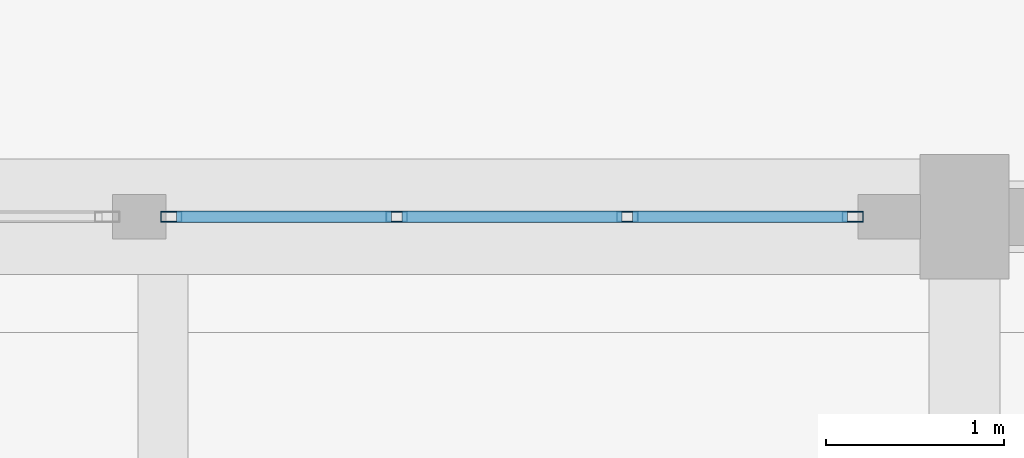
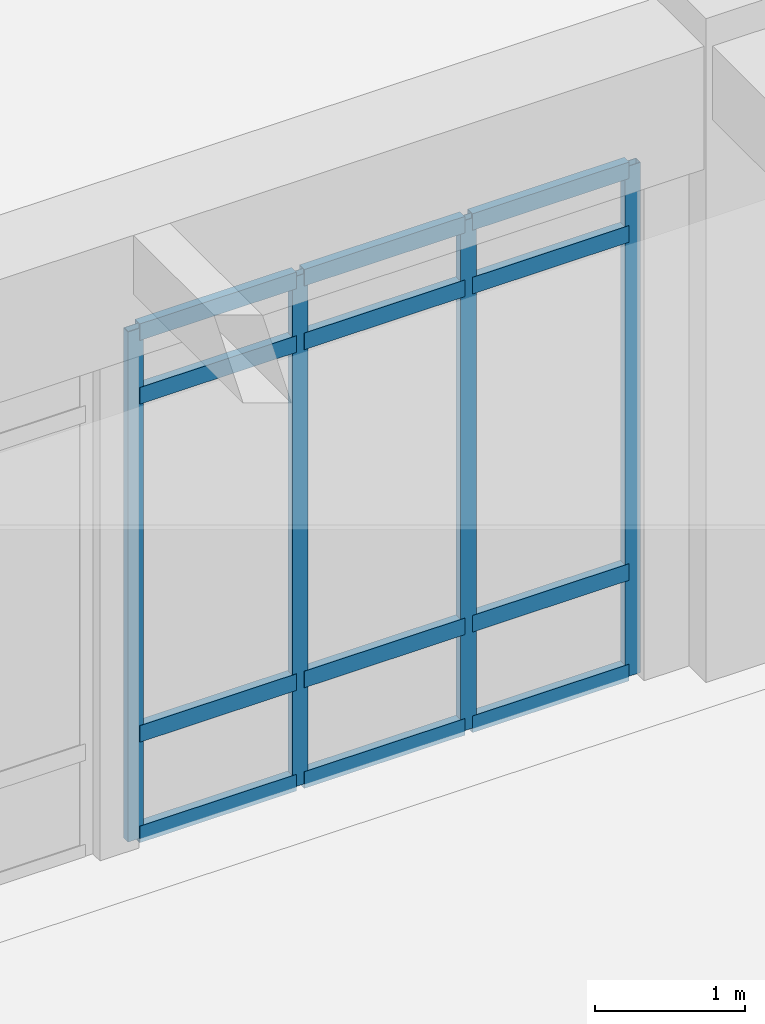
# One storey, part 27 of 138: 16 members, 1 element without a shape of its own.
"""IFC4 building model written with IfcOpenShell, lengths in metres."""

from ifc_helpers import new_model, si_unit, direction, frame, origin, origin_2d, place, context, subcontext, project, spatial, hollow_rectangle, extrude, material, layer, layer_set, material_profile, profile_set, type_object, element, aggregate, save


model = new_model("IFC4")

# Units and contexts
model_context = context("Model", 3, precision=1e-05, world=origin(), true_north=direction((0.0, 1.0)))
body_context = subcontext(model_context, "Body", "Model", "MODEL_VIEW")
ifc_project = project(units=[si_unit("LENGTHUNIT", "METRE"), si_unit("AREAUNIT", "SQUARE_METRE"), si_unit("VOLUMEUNIT", "CUBIC_METRE"), si_unit("PLANEANGLEUNIT", "RADIAN"), si_unit("MASSUNIT", "GRAM", prefix="KILO")], contexts=[model_context])

# Site, building, storey
site_placement = place(None, origin())
site = spatial("IfcSite", under=ifc_project, at=site_placement, CompositionType="ELEMENT")
building_placement = place(site_placement, origin())
building = spatial("IfcBuilding", under=site, at=building_placement, Name="Fikremerkos Civic Library", CompositionType="ELEMENT")
storey_placement = place(building_placement, origin())
storey = spatial("IfcBuildingStorey", under=building, at=storey_placement, Name="L00", CompositionType="ELEMENT", Elevation=0.0)

# Curtain wall, members
ifc_material = material(Name="Anodized aluminium Frame", Category="aluminium")
ifc_layer = layer(ifc_material, 0.159912109375, Name="Anodized aluminium Frame")
ifc_layer_set = layer_set([ifc_layer], Name="Anodized aluminium Frame")
curtain_wall_type = type_object("IfcCurtainWallType", Name="Unitised curtain wall CW-04 3400x3600", PredefinedType="USERDEFINED", material=ifc_layer_set)
curtain_wall_placement = place(storey_placement, origin())
curtain_wall = element("IfcCurtainWall", 1, at=curtain_wall_placement, inside=storey, type_object=curtain_wall_type, Name="Unitised curtain wall CW-04 L00 #22", ObjectType="UNITISED CURTAIN WALL", PredefinedType="USERDEFINED")
ifc_material_profile_1 = material_profile(ifc_material, hollow_rectangle(XDim=0.06005859375, YDim=0.1201171875, WallThickness=0.00390625, at=origin_2d()), Name="ALU 120x60x4")
ifc_profile_set_1 = profile_set([ifc_material_profile_1], Name="Anodized aluminium Frame")
member_type_1 = type_object("IfcMemberType", Name="Curtain mullion CWM-04 ALU 120x60x4", PredefinedType="MULLION", material=ifc_profile_set_1)
member_1_placement = place(storey_placement, frame((109.247314453125, 48.0, 0.0), z_axis=(0.0, 0.0, 1.0), x_axis=(0.0, 1.0, 0.0)))
member_1 = element("IfcMember", 2, at=member_1_placement, type_object=member_type_1, Name="CW-04 mullion 1", PredefinedType="MULLION", context=body_context, shape_type="SweptSolid", body=[
    extrude(hollow_rectangle(XDim=0.06005859375, YDim=0.1201171875, WallThickness=0.00390625, at=origin_2d()), origin(), (0.0, 0.0, 1.0), 4.14990234375),
])
member_2_placement = place(storey_placement, frame((110.51220703125, 48.0, 0.0), z_axis=(0.0, 0.0, 1.0), x_axis=(0.0, 1.0, 0.0)))
member_2 = element("IfcMember", 3, at=member_2_placement, type_object=member_type_1, Name="CW-04 mullion 2", PredefinedType="MULLION", context=body_context, shape_type="SweptSolid", body=[
    extrude(hollow_rectangle(XDim=0.06005859375, YDim=0.1201171875, WallThickness=0.00390625, at=origin_2d()), origin(), (0.0, 0.0, 1.0), 4.14990234375),
])
member_3_placement = place(storey_placement, frame((111.80712890625, 48.0, 0.0), z_axis=(0.0, 0.0, 1.0), x_axis=(0.0, 1.0, 0.0)))
member_3 = element("IfcMember", 4, at=member_3_placement, type_object=member_type_1, Name="CW-04 mullion 3", PredefinedType="MULLION", context=body_context, shape_type="SweptSolid", body=[
    extrude(hollow_rectangle(XDim=0.06005859375, YDim=0.1201171875, WallThickness=0.00390625, at=origin_2d()), origin(), (0.0, 0.0, 1.0), 4.14990234375),
])
member_4_placement = place(storey_placement, frame((113.072021484375, 48.0, 0.0), z_axis=(0.0, 0.0, 1.0), x_axis=(0.0, 1.0, 0.0)))
member_4 = element("IfcMember", 5, at=member_4_placement, type_object=member_type_1, Name="CW-04 mullion 4", PredefinedType="MULLION", context=body_context, shape_type="SweptSolid", body=[
    extrude(hollow_rectangle(XDim=0.06005859375, YDim=0.1201171875, WallThickness=0.00390625, at=origin_2d()), origin(), (0.0, 0.0, 1.0), 4.14990234375),
])
ifc_material_profile_2 = material_profile(ifc_material, hollow_rectangle(XDim=0.06494140625, YDim=0.135009765625, WallThickness=0.00439453125, at=origin_2d()), Name="ALU 135x65x4.5")
ifc_profile_set_2 = profile_set([ifc_material_profile_2], Name="Anodized aluminium Frame")
member_type_2 = type_object("IfcMemberType", Name="Curtain transom CWT-02 ALU 135x65x4.5", PredefinedType="USERDEFINED", material=ifc_profile_set_2)
member_5_placement = place(storey_placement, frame((109.27734375, 48.0, 0.032470703125), z_axis=(1.0, 0.0, 0.0), x_axis=(0.0, 1.0, 0.0)))
member_5 = element("IfcMember", 6, at=member_5_placement, type_object=member_type_2, Name="CW-04 transom 1.1", ObjectType="TRANSOM", PredefinedType="USERDEFINED", context=body_context, shape_type="SweptSolid", body=[
    extrude(hollow_rectangle(XDim=0.06494140625, YDim=0.135009765625, WallThickness=0.00439453125, at=origin_2d()), origin(), (0.0, 0.0, 1.0), 1.204833984375),
])
member_6_placement = place(storey_placement, frame((109.27734375, 48.0, 0.85009765625), z_axis=(1.0, 0.0, 0.0), x_axis=(0.0, 1.0, 0.0)))
member_6 = element("IfcMember", 7, at=member_6_placement, type_object=member_type_2, Name="CW-04 transom 1.2", ObjectType="TRANSOM", PredefinedType="USERDEFINED", context=body_context, shape_type="SweptSolid", body=[
    extrude(hollow_rectangle(XDim=0.06494140625, YDim=0.135009765625, WallThickness=0.00439453125, at=origin_2d()), origin(), (0.0, 0.0, 1.0), 1.204833984375),
])
member_7_placement = place(storey_placement, frame((109.27734375, 48.0, 3.60009765625), z_axis=(1.0, 0.0, 0.0), x_axis=(0.0, 1.0, 0.0)))
member_7 = element("IfcMember", 8, at=member_7_placement, type_object=member_type_2, Name="CW-04 transom 1.3", ObjectType="TRANSOM", PredefinedType="USERDEFINED", context=body_context, shape_type="SweptSolid", body=[
    extrude(hollow_rectangle(XDim=0.06494140625, YDim=0.135009765625, WallThickness=0.00439453125, at=origin_2d()), origin(), (0.0, 0.0, 1.0), 1.204833984375),
])
member_8_placement = place(storey_placement, frame((109.27734375, 48.0, 4.117431640625), z_axis=(1.0, 0.0, 0.0), x_axis=(0.0, 1.0, 0.0)))
member_8 = element("IfcMember", 9, at=member_8_placement, type_object=member_type_2, Name="CW-04 transom 1.4", ObjectType="TRANSOM", PredefinedType="USERDEFINED", context=body_context, shape_type="SweptSolid", body=[
    extrude(hollow_rectangle(XDim=0.06494140625, YDim=0.135009765625, WallThickness=0.00439453125, at=origin_2d()), origin(), (0.0, 0.0, 1.0), 1.204833984375),
])
member_9_placement = place(storey_placement, frame((110.542236328125, 48.0, 0.032470703125), z_axis=(1.0, 0.0, 0.0), x_axis=(0.0, 1.0, 0.0)))
member_9 = element("IfcMember", 10, at=member_9_placement, type_object=member_type_2, Name="CW-04 transom 2.1", ObjectType="TRANSOM", PredefinedType="USERDEFINED", context=body_context, shape_type="SweptSolid", body=[
    extrude(hollow_rectangle(XDim=0.06494140625, YDim=0.135009765625, WallThickness=0.00439453125, at=origin_2d()), origin(), (0.0, 0.0, 1.0), 1.23486328125),
])
member_10_placement = place(storey_placement, frame((110.542236328125, 48.0, 0.85009765625), z_axis=(1.0, 0.0, 0.0), x_axis=(0.0, 1.0, 0.0)))
member_10 = element("IfcMember", 11, at=member_10_placement, type_object=member_type_2, Name="CW-04 transom 2.2", ObjectType="TRANSOM", PredefinedType="USERDEFINED", context=body_context, shape_type="SweptSolid", body=[
    extrude(hollow_rectangle(XDim=0.06494140625, YDim=0.135009765625, WallThickness=0.00439453125, at=origin_2d()), origin(), (0.0, 0.0, 1.0), 1.23486328125),
])
member_11_placement = place(storey_placement, frame((110.542236328125, 48.0, 3.60009765625), z_axis=(1.0, 0.0, 0.0), x_axis=(0.0, 1.0, 0.0)))
member_11 = element("IfcMember", 12, at=member_11_placement, type_object=member_type_2, Name="CW-04 transom 2.3", ObjectType="TRANSOM", PredefinedType="USERDEFINED", context=body_context, shape_type="SweptSolid", body=[
    extrude(hollow_rectangle(XDim=0.06494140625, YDim=0.135009765625, WallThickness=0.00439453125, at=origin_2d()), origin(), (0.0, 0.0, 1.0), 1.23486328125),
])
member_12_placement = place(storey_placement, frame((110.542236328125, 48.0, 4.117431640625), z_axis=(1.0, 0.0, 0.0), x_axis=(0.0, 1.0, 0.0)))
member_12 = element("IfcMember", 13, at=member_12_placement, type_object=member_type_2, Name="CW-04 transom 2.4", ObjectType="TRANSOM", PredefinedType="USERDEFINED", context=body_context, shape_type="SweptSolid", body=[
    extrude(hollow_rectangle(XDim=0.06494140625, YDim=0.135009765625, WallThickness=0.00439453125, at=origin_2d()), origin(), (0.0, 0.0, 1.0), 1.23486328125),
])
member_13_placement = place(storey_placement, frame((111.837158203125, 48.0, 0.032470703125), z_axis=(1.0, 0.0, 0.0), x_axis=(0.0, 1.0, 0.0)))
member_13 = element("IfcMember", 14, at=member_13_placement, type_object=member_type_2, Name="CW-04 transom 3.1", ObjectType="TRANSOM", PredefinedType="USERDEFINED", context=body_context, shape_type="SweptSolid", body=[
    extrude(hollow_rectangle(XDim=0.06494140625, YDim=0.135009765625, WallThickness=0.00439453125, at=origin_2d()), origin(), (0.0, 0.0, 1.0), 1.204833984375),
])
member_14_placement = place(storey_placement, frame((111.837158203125, 48.0, 0.85009765625), z_axis=(1.0, 0.0, 0.0), x_axis=(0.0, 1.0, 0.0)))
member_14 = element("IfcMember", 15, at=member_14_placement, type_object=member_type_2, Name="CW-04 transom 3.2", ObjectType="TRANSOM", PredefinedType="USERDEFINED", context=body_context, shape_type="SweptSolid", body=[
    extrude(hollow_rectangle(XDim=0.06494140625, YDim=0.135009765625, WallThickness=0.00439453125, at=origin_2d()), origin(), (0.0, 0.0, 1.0), 1.204833984375),
])
member_15_placement = place(storey_placement, frame((111.837158203125, 48.0, 3.60009765625), z_axis=(1.0, 0.0, 0.0), x_axis=(0.0, 1.0, 0.0)))
member_15 = element("IfcMember", 16, at=member_15_placement, type_object=member_type_2, Name="CW-04 transom 3.3", ObjectType="TRANSOM", PredefinedType="USERDEFINED", context=body_context, shape_type="SweptSolid", body=[
    extrude(hollow_rectangle(XDim=0.06494140625, YDim=0.135009765625, WallThickness=0.00439453125, at=origin_2d()), origin(), (0.0, 0.0, 1.0), 1.204833984375),
])
member_16_placement = place(storey_placement, frame((111.837158203125, 48.0, 4.117431640625), z_axis=(1.0, 0.0, 0.0), x_axis=(0.0, 1.0, 0.0)))
member_16 = element("IfcMember", 17, at=member_16_placement, type_object=member_type_2, Name="CW-04 transom 3.4", ObjectType="TRANSOM", PredefinedType="USERDEFINED", context=body_context, shape_type="SweptSolid", body=[
    extrude(hollow_rectangle(XDim=0.06494140625, YDim=0.135009765625, WallThickness=0.00439453125, at=origin_2d()), origin(), (0.0, 0.0, 1.0), 1.204833984375),
])
aggregate(curtain_wall, [member_1, member_2, member_3, member_4, member_5, member_6, member_7, member_8, member_9, member_10, member_11, member_12, member_13, member_14, member_15, member_16])

save(model, "model.ifc")
